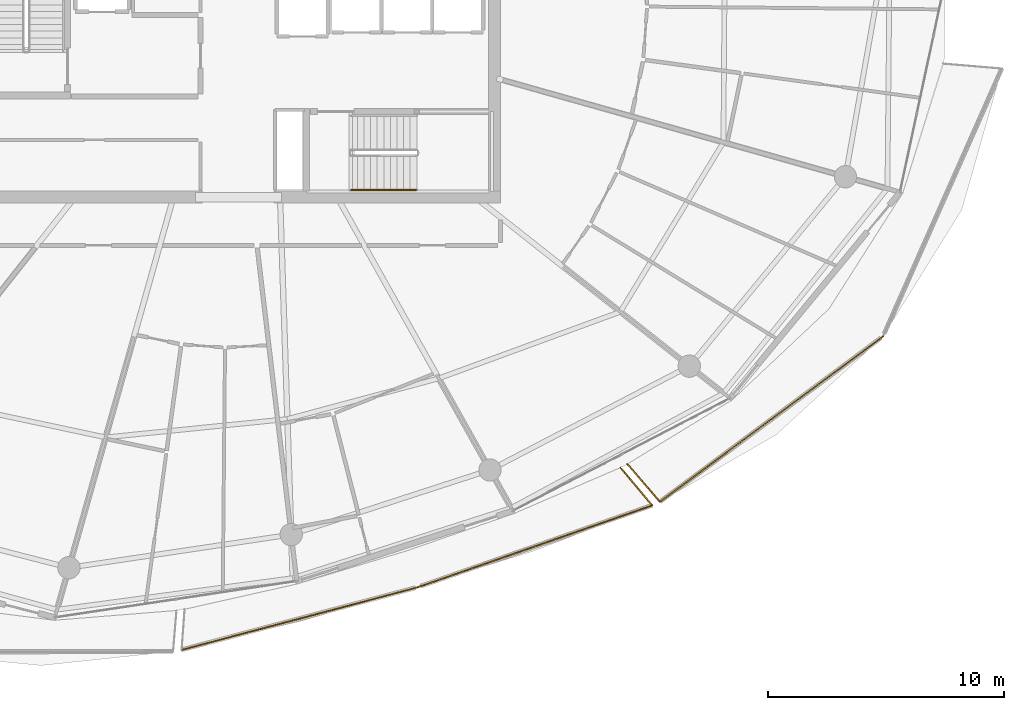
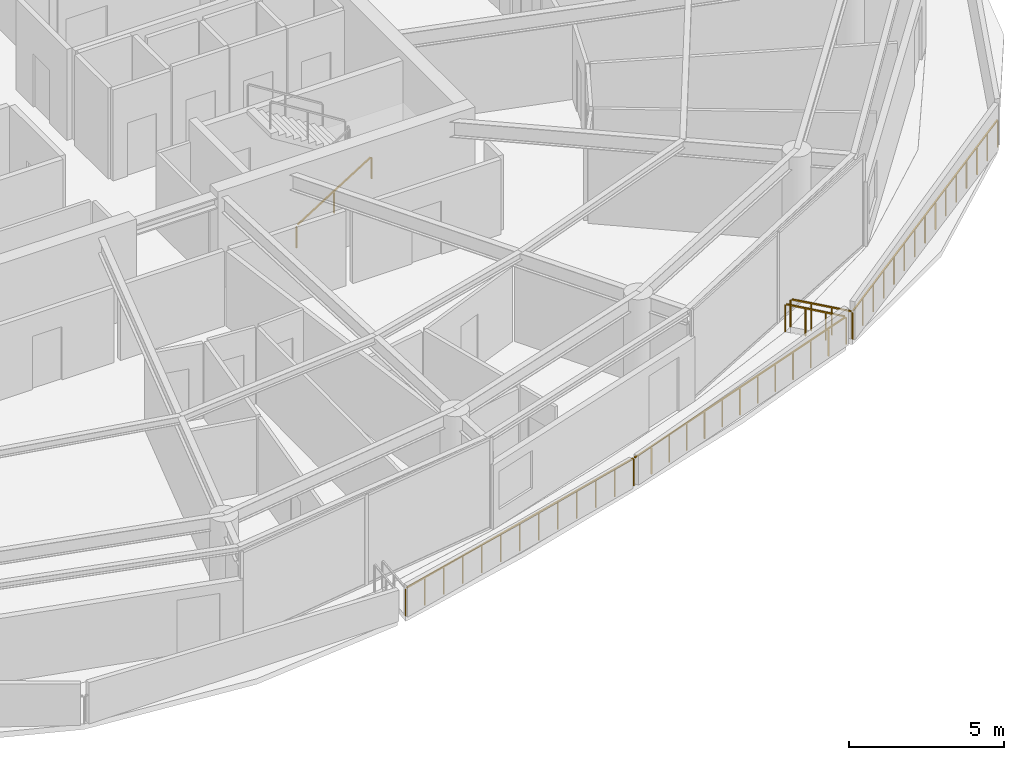
# One storey, part 26 of 30: 6 railings.
"""IFC4 building model written with IfcOpenShell, lengths in metres."""

from ifc_helpers import new_model, si_unit, direction, frame, origin, origin_2d, place, context, subcontext, project, spatial, rectangle, extrude, material, type_object, element, save


model = new_model("IFC4")

# Units and contexts
model_context = context("Model", 3, precision=1e-05, world=origin(), true_north=direction((0.0, 1.0)))
body_context = subcontext(model_context, "Body", "Model", "MODEL_VIEW")
ifc_project = project(units=[si_unit("LENGTHUNIT", "METRE"), si_unit("AREAUNIT", "SQUARE_METRE"), si_unit("VOLUMEUNIT", "CUBIC_METRE"), si_unit("PLANEANGLEUNIT", "RADIAN"), si_unit("MASSUNIT", "GRAM", prefix="KILO")], contexts=[model_context])

# Site, building, storey
site_placement = place(None, origin())
site = spatial("IfcSite", under=ifc_project, at=site_placement, CompositionType="ELEMENT")
building_placement = place(site_placement, origin())
building = spatial("IfcBuilding", under=site, at=building_placement, Name="Kazma Halo Residences", CompositionType="ELEMENT")
storey_placement = place(building_placement, frame((0.0, 0.0, 279.050048828125)))
storey = spatial("IfcBuildingStorey", under=building, at=storey_placement, Name="L70", CompositionType="ELEMENT", Elevation=279.050048828125)

# Railings
ifc_material_1 = material(Name="Aluminium AW-6063 T6 Brushed Cap Rail", Category="aluminium")
railing_type_1 = type_object("IfcRailingType", Name="RLG-BAL-CAP-1120", PredefinedType="BALUSTRADE", material=ifc_material_1)
railing_1_placement = place(storey_placement, frame((46.006591796875, 14.52734375, 0.0)))
element("IfcRailing", 1, at=railing_1_placement, inside=storey, type_object=railing_type_1, Name="L70 SSE wave balcony guard 2", PredefinedType="BALUSTRADE", context=body_context, shape_type="SweptSolid", body=[
    extrude(rectangle(XDim=0.050048828125, YDim=0.050048828125, at=origin_2d()), frame((0.041015625, 0.010986328125, 1.09521484375), z_axis=(0.966571887032, 0.256395762836, 0.0), x_axis=(-0.256395762836, 0.966571887032, 0.0)), (0.0, 0.0, 1.0), 10.31591796875),
    extrude(rectangle(XDim=0.0400390625, YDim=0.0400390625, at=origin_2d()), origin(), (0.0, 0.0, 1.0), 1.05810546875),
    extrude(rectangle(XDim=0.0400390625, YDim=0.0400390625, at=origin_2d()), frame((0.837890625, 0.22216796875, 0.0)), (0.0, 0.0, 1.0), 1.05810546875),
    extrude(rectangle(XDim=0.0400390625, YDim=0.0400390625, at=origin_2d()), frame((1.675537109375, 0.4443359375, 0.0)), (0.0, 0.0, 1.0), 1.05810546875),
    extrude(rectangle(XDim=0.0400390625, YDim=0.0400390625, at=origin_2d()), frame((2.51318359375, 0.666748046875, 0.0)), (0.0, 0.0, 1.0), 1.05810546875),
    extrude(rectangle(XDim=0.0400390625, YDim=0.0400390625, at=origin_2d()), frame((3.35107421875, 0.888916015625, 0.0)), (0.0, 0.0, 1.0), 1.05810546875),
    extrude(rectangle(XDim=0.0400390625, YDim=0.0400390625, at=origin_2d()), frame((4.18896484375, 1.111083984375, 0.0)), (0.0, 0.0, 1.0), 1.05810546875),
    extrude(rectangle(XDim=0.0400390625, YDim=0.0400390625, at=origin_2d()), frame((5.026611328125, 1.33349609375, 0.0)), (0.0, 0.0, 1.0), 1.05810546875),
    extrude(rectangle(XDim=0.0400390625, YDim=0.0400390625, at=origin_2d()), frame((5.8642578125, 1.5556640625, 0.0)), (0.0, 0.0, 1.0), 1.05810546875),
    extrude(rectangle(XDim=0.0400390625, YDim=0.0400390625, at=origin_2d()), frame((6.7021484375, 1.77783203125, 0.0)), (0.0, 0.0, 1.0), 1.05810546875),
    extrude(rectangle(XDim=0.0400390625, YDim=0.0400390625, at=origin_2d()), frame((7.5400390625, 2.0, 0.0)), (0.0, 0.0, 1.0), 1.05810546875),
    extrude(rectangle(XDim=0.0400390625, YDim=0.0400390625, at=origin_2d()), frame((8.377685546875, 2.22216796875, 0.0)), (0.0, 0.0, 1.0), 1.05810546875),
    extrude(rectangle(XDim=0.0400390625, YDim=0.0400390625, at=origin_2d()), frame((9.21533203125, 2.444580078125, 0.0)), (0.0, 0.0, 1.0), 1.05810546875),
    extrude(rectangle(XDim=0.0400390625, YDim=0.0400390625, at=origin_2d()), frame((10.05322265625, 2.666748046875, 0.0)), (0.0, 0.0, 1.0), 1.05810546875),
])
railing_2_placement = place(storey_placement, frame((56.059814453125, 17.194091796875, 0.0)))
element("IfcRailing", 2, at=railing_2_placement, inside=storey, type_object=railing_type_1, Name="L70 SSE wave balcony guard 3", PredefinedType="BALUSTRADE", context=body_context, shape_type="SweptSolid", body=[
    extrude(rectangle(XDim=0.050048828125, YDim=0.050048828125, at=origin_2d()), frame((0.0400390625, 0.013916015625, 1.09521484375), z_axis=(0.943997856529, 0.329951582612, 0.0), x_axis=(-0.329951582612, 0.943997856529, 0.0)), (0.0, 0.0, 1.0), 10.4404296875),
    extrude(rectangle(XDim=0.0400390625, YDim=0.0400390625, at=origin_2d()), origin(), (0.0, 0.0, 1.0), 1.05810546875),
    extrude(rectangle(XDim=0.0400390625, YDim=0.0400390625, at=origin_2d()), frame((0.828125, 0.289306640625, 0.0)), (0.0, 0.0, 1.0), 1.05810546875),
    extrude(rectangle(XDim=0.0400390625, YDim=0.0400390625, at=origin_2d()), frame((1.656005859375, 0.578857421875, 0.0)), (0.0, 0.0, 1.0), 1.05810546875),
    extrude(rectangle(XDim=0.0400390625, YDim=0.0400390625, at=origin_2d()), frame((2.48388671875, 0.8681640625, 0.0)), (0.0, 0.0, 1.0), 1.05810546875),
    extrude(rectangle(XDim=0.0400390625, YDim=0.0400390625, at=origin_2d()), frame((3.31201171875, 1.15771484375, 0.0)), (0.0, 0.0, 1.0), 1.05810546875),
    extrude(rectangle(XDim=0.0400390625, YDim=0.0400390625, at=origin_2d()), frame((4.14013671875, 1.447021484375, 0.0)), (0.0, 0.0, 1.0), 1.05810546875),
    extrude(rectangle(XDim=0.0400390625, YDim=0.0400390625, at=origin_2d()), frame((4.968017578125, 1.736328125, 0.0)), (0.0, 0.0, 1.0), 1.05810546875),
    extrude(rectangle(XDim=0.0400390625, YDim=0.0400390625, at=origin_2d()), frame((5.7958984375, 2.02587890625, 0.0)), (0.0, 0.0, 1.0), 1.05810546875),
    extrude(rectangle(XDim=0.0400390625, YDim=0.0400390625, at=origin_2d()), frame((6.6240234375, 2.315185546875, 0.0)), (0.0, 0.0, 1.0), 1.05810546875),
    extrude(rectangle(XDim=0.0400390625, YDim=0.0400390625, at=origin_2d()), frame((7.4521484375, 2.604736328125, 0.0)), (0.0, 0.0, 1.0), 1.05810546875),
    extrude(rectangle(XDim=0.0400390625, YDim=0.0400390625, at=origin_2d()), frame((8.280029296875, 2.89404296875, 0.0)), (0.0, 0.0, 1.0), 1.05810546875),
    extrude(rectangle(XDim=0.0400390625, YDim=0.0400390625, at=origin_2d()), frame((9.10791015625, 3.18359375, 0.0)), (0.0, 0.0, 1.0), 1.05810546875),
    extrude(rectangle(XDim=0.0400390625, YDim=0.0400390625, at=origin_2d()), frame((9.93603515625, 3.472900390625, 0.0)), (0.0, 0.0, 1.0), 1.05810546875),
])
railing_3_placement = place(storey_placement, frame((65.995849609375, 20.6669921875, 0.0)))
element("IfcRailing", 3, at=railing_3_placement, inside=storey, type_object=railing_type_1, Name="L70 SSE wave balcony guard 4", PredefinedType="BALUSTRADE", context=body_context, shape_type="SweptSolid", body=[
    extrude(rectangle(XDim=0.050048828125, YDim=0.050048828125, at=origin_2d()), frame((-0.02734375, 0.032470703125, 1.09521484375), z_axis=(-0.644813519354, 0.764339927819, 0.0), x_axis=(-0.764339927819, -0.644813519354, 0.0)), (0.0, 0.0, 1.0), 2.010498046875),
    extrude(rectangle(XDim=0.0400390625, YDim=0.0400390625, at=origin_2d()), origin(), (0.0, 0.0, 1.0), 1.05810546875),
    extrude(rectangle(XDim=0.0400390625, YDim=0.0400390625, at=origin_2d()), frame((-0.450439453125, 0.533935546875, 0.0)), (0.0, 0.0, 1.0), 1.05810546875),
    extrude(rectangle(XDim=0.0400390625, YDim=0.0400390625, at=origin_2d()), frame((-0.90087890625, 1.06787109375, 0.0)), (0.0, 0.0, 1.0), 1.05810546875),
    extrude(rectangle(XDim=0.0400390625, YDim=0.0400390625, at=origin_2d()), frame((-1.351318359375, 1.601806640625, 0.0)), (0.0, 0.0, 1.0), 1.05810546875),
])
railing_4_placement = place(storey_placement, frame((64.93212890625, 22.41845703125, 0.0)))
element("IfcRailing", 4, at=railing_4_placement, inside=storey, type_object=railing_type_1, Name="L70 SE wave balcony guard 1", PredefinedType="BALUSTRADE", context=body_context, shape_type="SweptSolid", body=[
    extrude(rectangle(XDim=0.050048828125, YDim=0.050048828125, at=origin_2d()), frame((0.02783203125, -0.0322265625, 1.09521484375), z_axis=(0.65411453311, -0.756395516628, 0.0), x_axis=(0.756395516628, 0.65411453311, 0.0)), (0.0, 0.0, 1.0), 2.034423828125),
    extrude(rectangle(XDim=0.0400390625, YDim=0.0400390625, at=origin_2d()), origin(), (0.0, 0.0, 1.0), 1.05810546875),
    extrude(rectangle(XDim=0.0400390625, YDim=0.0400390625, at=origin_2d()), frame((0.462158203125, -0.534423828125, 0.0)), (0.0, 0.0, 1.0), 1.05810546875),
    extrude(rectangle(XDim=0.0400390625, YDim=0.0400390625, at=origin_2d()), frame((0.92431640625, -1.06884765625, 0.0)), (0.0, 0.0, 1.0), 1.05810546875),
    extrude(rectangle(XDim=0.0400390625, YDim=0.0400390625, at=origin_2d()), frame((1.386474609375, -1.603271484375, 0.0)), (0.0, 0.0, 1.0), 1.05810546875),
])
railing_5_placement = place(storey_placement, frame((66.318603515625, 20.815185546875, 0.0)))
element("IfcRailing", 5, at=railing_5_placement, inside=storey, type_object=railing_type_1, Name="L70 SE wave balcony guard 2", PredefinedType="BALUSTRADE", context=body_context, shape_type="SweptSolid", body=[
    extrude(rectangle(XDim=0.050048828125, YDim=0.050048828125, at=origin_2d()), frame((0.0341796875, 0.025390625, 1.09521484375), z_axis=(0.803328675668, 0.595535925742, 0.0), x_axis=(-0.595535925742, 0.803328675668, 0.0)), (0.0, 0.0, 1.0), 11.708740234375),
    extrude(rectangle(XDim=0.0400390625, YDim=0.0400390625, at=origin_2d()), origin(), (0.0, 0.0, 1.0), 1.05810546875),
    extrude(rectangle(XDim=0.0400390625, YDim=0.0400390625, at=origin_2d()), frame((0.6767578125, 0.501708984375, 0.0)), (0.0, 0.0, 1.0), 1.05810546875),
    extrude(rectangle(XDim=0.0400390625, YDim=0.0400390625, at=origin_2d()), frame((1.353515625, 1.00341796875, 0.0)), (0.0, 0.0, 1.0), 1.05810546875),
    extrude(rectangle(XDim=0.0400390625, YDim=0.0400390625, at=origin_2d()), frame((2.0302734375, 1.505126953125, 0.0)), (0.0, 0.0, 1.0), 1.05810546875),
    extrude(rectangle(XDim=0.0400390625, YDim=0.0400390625, at=origin_2d()), frame((2.70703125, 2.0068359375, 0.0)), (0.0, 0.0, 1.0), 1.05810546875),
    extrude(rectangle(XDim=0.0400390625, YDim=0.0400390625, at=origin_2d()), frame((3.3837890625, 2.508544921875, 0.0)), (0.0, 0.0, 1.0), 1.05810546875),
    extrude(rectangle(XDim=0.0400390625, YDim=0.0400390625, at=origin_2d()), frame((4.060546875, 3.01025390625, 0.0)), (0.0, 0.0, 1.0), 1.05810546875),
    extrude(rectangle(XDim=0.0400390625, YDim=0.0400390625, at=origin_2d()), frame((4.7373046875, 3.51171875, 0.0)), (0.0, 0.0, 1.0), 1.05810546875),
    extrude(rectangle(XDim=0.0400390625, YDim=0.0400390625, at=origin_2d()), frame((5.413818359375, 4.013427734375, 0.0)), (0.0, 0.0, 1.0), 1.05810546875),
    extrude(rectangle(XDim=0.0400390625, YDim=0.0400390625, at=origin_2d()), frame((6.090576171875, 4.51513671875, 0.0)), (0.0, 0.0, 1.0), 1.05810546875),
    extrude(rectangle(XDim=0.0400390625, YDim=0.0400390625, at=origin_2d()), frame((6.767333984375, 5.016845703125, 0.0)), (0.0, 0.0, 1.0), 1.05810546875),
    extrude(rectangle(XDim=0.0400390625, YDim=0.0400390625, at=origin_2d()), frame((7.444091796875, 5.5185546875, 0.0)), (0.0, 0.0, 1.0), 1.05810546875),
    extrude(rectangle(XDim=0.0400390625, YDim=0.0400390625, at=origin_2d()), frame((8.120849609375, 6.020263671875, 0.0)), (0.0, 0.0, 1.0), 1.05810546875),
    extrude(rectangle(XDim=0.0400390625, YDim=0.0400390625, at=origin_2d()), frame((8.797607421875, 6.52197265625, 0.0)), (0.0, 0.0, 1.0), 1.05810546875),
    extrude(rectangle(XDim=0.0400390625, YDim=0.0400390625, at=origin_2d()), frame((9.474365234375, 7.023681640625, 0.0)), (0.0, 0.0, 1.0), 1.05810546875),
])
ifc_material_2 = material(Name="Brushed Stainless Steel", Category="steel")
railing_type_2 = type_object("IfcRailingType", Name="RLG-STAIR-HND-900", PredefinedType="HANDRAIL", material=ifc_material_2)
railing_6_placement = place(storey_placement, frame((53.199951171875, 34.050048828125, 0.175048828125)))
element("IfcRailing", 6, at=railing_6_placement, inside=storey, type_object=railing_type_2, Name="L70 ST-03 stair handrail 1", PredefinedType="HANDRAIL", context=body_context, shape_type="SweptSolid", body=[
    extrude(rectangle(XDim=0.050048828125, YDim=0.050048828125, at=origin_2d()), frame((0.0361328125, 0.0, 0.8974609375), z_axis=(0.848002457836, 0.0, 0.529992293815), x_axis=(0.0, 1.0, 0.0)), (0.0, 0.0, 1.0), 3.216796875),
    extrude(rectangle(XDim=0.0400390625, YDim=0.0400390625, at=origin_2d()), origin(), (0.0, 0.0, 1.0), 0.837890625),
    extrude(rectangle(XDim=0.0400390625, YDim=0.0400390625, at=origin_2d()), frame((1.39990234375, 0.0, 0.875)), (0.0, 0.0, 1.0), 0.837890625),
    extrude(rectangle(XDim=0.0400390625, YDim=0.0400390625, at=origin_2d()), frame((2.800048828125, 0.0, 1.75)), (0.0, 0.0, 1.0), 0.837890625),
])

save(model, "model.ifc")
